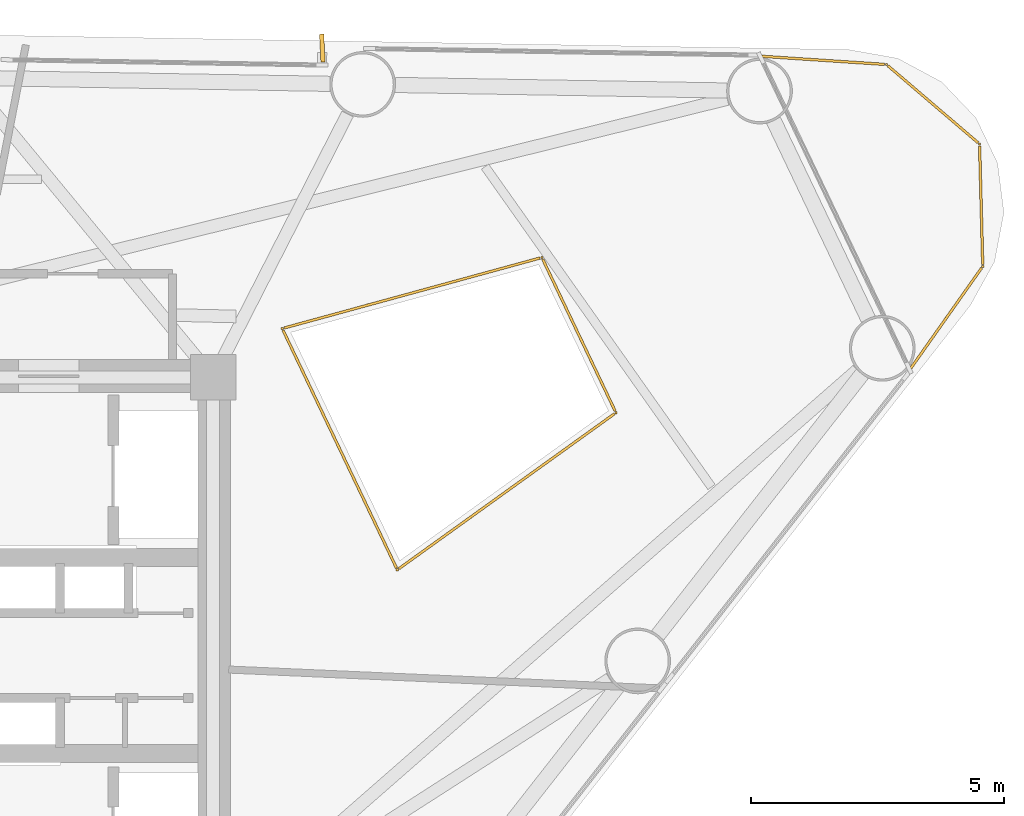
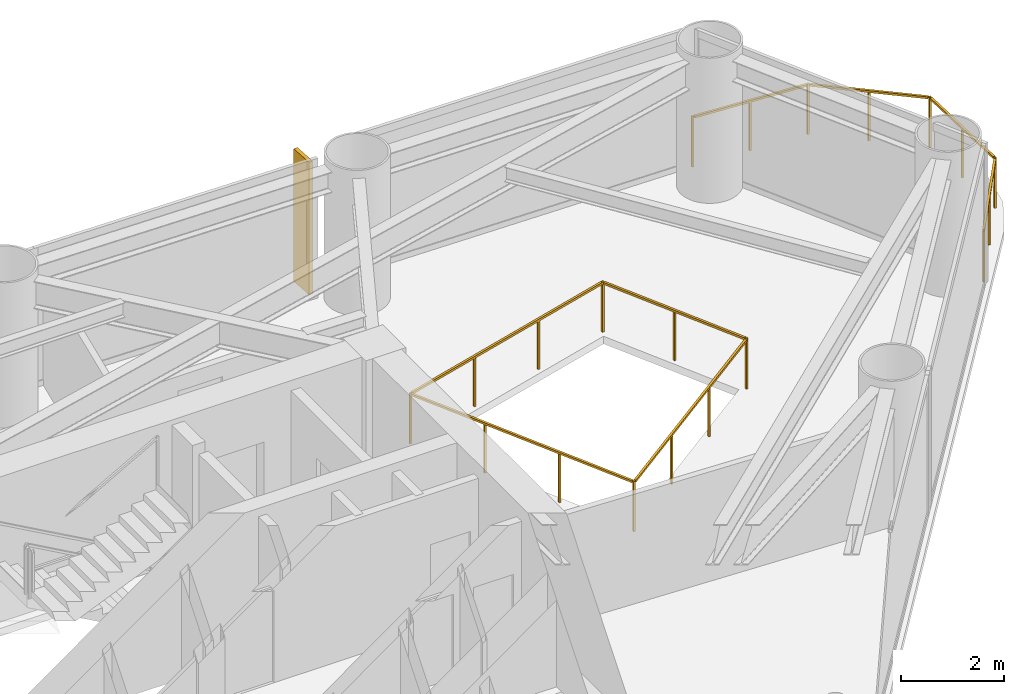
# One storey, part 10 of 10: 2 railings, 1 shading device.
"""IFC4 building model written with IfcOpenShell, lengths in metres."""

from ifc_helpers import new_model, si_unit, direction, frame, origin, origin_2d, place, context, subcontext, project, spatial, rectangle, extrude, source, transform, mapped, material, material_profile, profile_set, type_object, element, save


model = new_model("IFC4")

# Units and contexts
model_context = context("Model", 3, precision=1e-05, world=origin(), true_north=direction((0.0, 1.0)))
body_context = subcontext(model_context, "Body", "Model", "MODEL_VIEW")
ifc_project = project(units=[si_unit("LENGTHUNIT", "METRE"), si_unit("AREAUNIT", "SQUARE_METRE"), si_unit("VOLUMEUNIT", "CUBIC_METRE"), si_unit("PLANEANGLEUNIT", "RADIAN"), si_unit("MASSUNIT", "GRAM", prefix="KILO")], contexts=[model_context])

# Site, building, storey
site_placement = place(None, origin())
site = spatial("IfcSite", under=ifc_project, at=site_placement, CompositionType="ELEMENT")
building_placement = place(site_placement, origin())
building = spatial("IfcBuilding", under=site, at=building_placement, Name="Yunling Apex Tower", CompositionType="ELEMENT")
storey_placement = place(building_placement, frame((0.0, 0.0, 132.949951171875)))
storey = spatial("IfcBuildingStorey", under=building, at=storey_placement, Name="L32", CompositionType="ELEMENT", Elevation=132.949951171875)

# Railings
ifc_material = material(Name="Bronze anodised aluminium", Category="aluminium")
railing_type = type_object("IfcRailingType", Name="RL-BAL-1200", PredefinedType="BALUSTRADE", material=ifc_material)
railing_1_placement = place(storey_placement, frame((16.8701171875, 11.853515625, 0.0)))
element("IfcRailing", 1, at=railing_1_placement, inside=storey, type_object=railing_type, Name="RL-CRNSILL-L32-1", PredefinedType="BALUSTRADE", context=body_context, shape_type="SweptSolid", body=[
    extrude(rectangle(XDim=0.0439453125, YDim=0.0439453125, at=origin_2d()), origin(), (0.0, 0.0, 1.0), 1.199951171875),
    extrude(rectangle(XDim=0.0439453125, YDim=0.0439453125, at=origin_2d()), frame((2.498779296875, -0.164794921875, 0.0)), (0.0, 0.0, 1.0), 1.199951171875),
    extrude(rectangle(XDim=0.050048828125, YDim=0.050048828125, at=origin_2d()), frame((0.038330078125, -0.00244140625, 1.1748046875), z_axis=(0.99783235592, -0.065807214484, 0.0), x_axis=(0.065807214484, 0.99783235592, 0.0)), (0.0, 0.0, 1.0), 2.427490234375),
    extrude(rectangle(XDim=0.0439453125, YDim=0.0439453125, at=origin_2d()), frame((1.24951171875, -0.08251953125, 0.0)), (0.0, 0.0, 1.0), 1.14599609375),
    extrude(rectangle(XDim=0.0439453125, YDim=0.0439453125, at=origin_2d()), frame((4.339599609375, -1.737060546875, 0.0)), (0.0, 0.0, 1.0), 1.199951171875),
    extrude(rectangle(XDim=0.050048828125, YDim=0.050048828125, at=origin_2d()), frame((2.52783203125, -0.189697265625, 1.1748046875), z_axis=(0.760394429478, -0.649461555151, 0.0), x_axis=(0.649461555151, 0.760394429478, 0.0)), (0.0, 0.0, 1.0), 2.34423828125),
    extrude(rectangle(XDim=0.0439453125, YDim=0.0439453125, at=origin_2d()), frame((3.419189453125, -0.950927734375, 0.0)), (0.0, 0.0, 1.0), 1.14599609375),
    extrude(rectangle(XDim=0.0439453125, YDim=0.0439453125, at=origin_2d()), frame((4.403076171875, -4.156982421875, 0.0)), (0.0, 0.0, 1.0), 1.199951171875),
    extrude(rectangle(XDim=0.050048828125, YDim=0.050048828125, at=origin_2d()), frame((4.340576171875, -1.775390625, 1.1748046875), z_axis=(0.026221811823, -0.999656149176, 0.0), x_axis=(0.999656149176, 0.026221811823, 0.0)), (0.0, 0.0, 1.0), 2.343994140625),
    extrude(rectangle(XDim=0.0439453125, YDim=0.0439453125, at=origin_2d()), frame((4.371337890625, -2.947021484375, 0.0)), (0.0, 0.0, 1.0), 1.14599609375),
    extrude(rectangle(XDim=0.0439453125, YDim=0.0439453125, at=origin_2d()), frame((2.95849609375, -6.20263671875, 0.0)), (0.0, 0.0, 1.0), 1.199951171875),
    extrude(rectangle(XDim=0.050048828125, YDim=0.050048828125, at=origin_2d()), frame((4.380859375, -4.188232421875, 1.1748046875), z_axis=(-0.576840114355, -0.816857075914, 0.0), x_axis=(0.816857075914, -0.576840114355, 0.0)), (0.0, 0.0, 1.0), 2.427734375),
    extrude(rectangle(XDim=0.0439453125, YDim=0.0439453125, at=origin_2d()), frame((3.6806640625, -5.1796875, 0.0)), (0.0, 0.0, 1.0), 1.14599609375),
])
railing_2_placement = place(storey_placement, frame((7.41845703125, 6.46728515625, 0.0)))
element("IfcRailing", 2, at=railing_2_placement, inside=storey, type_object=railing_type, Name="RL-TATR-L32", PredefinedType="BALUSTRADE", context=body_context, shape_type="SweptSolid", body=[
    extrude(rectangle(XDim=0.0439453125, YDim=0.0439453125, at=origin_2d()), origin(), (0.0, 0.0, 1.0), 1.199951171875),
    extrude(rectangle(XDim=0.0439453125, YDim=0.0439453125, at=origin_2d()), frame((5.135498046875, 1.404541015625, 0.0)), (0.0, 0.0, 1.0), 1.199951171875),
    extrude(rectangle(XDim=0.050048828125, YDim=0.050048828125, at=origin_2d()), frame((0.036865234375, 0.010009765625, 1.1748046875), z_axis=(0.964575212807, 0.263807996162, 0.0), x_axis=(-0.263807996162, 0.964575212807, 0.0)), (0.0, 0.0, 1.0), 5.24755859375),
    extrude(rectangle(XDim=0.0439453125, YDim=0.0439453125, at=origin_2d()), frame((1.7119140625, 0.46826171875, 0.0)), (0.0, 0.0, 1.0), 1.14599609375),
    extrude(rectangle(XDim=0.0439453125, YDim=0.0439453125, at=origin_2d()), frame((3.423583984375, 0.936279296875, 0.0)), (0.0, 0.0, 1.0), 1.14599609375),
    extrude(rectangle(XDim=0.0439453125, YDim=0.0439453125, at=origin_2d()), frame((6.599609375, -1.664794921875, 0.0)), (0.0, 0.0, 1.0), 1.199951171875),
    extrude(rectangle(XDim=0.050048828125, YDim=0.050048828125, at=origin_2d()), frame((5.152099609375, 1.369873046875, 1.1748046875), z_axis=(0.430538211034, -0.902572351028, 0.0), x_axis=(0.902572351028, 0.430538211034, 0.0)), (0.0, 0.0, 1.0), 3.323974609375),
    extrude(rectangle(XDim=0.0439453125, YDim=0.0439453125, at=origin_2d()), frame((5.86767578125, -0.130126953125, 0.0)), (0.0, 0.0, 1.0), 1.14599609375),
    extrude(rectangle(XDim=0.0439453125, YDim=0.0439453125, at=origin_2d()), frame((2.276123046875, -4.77197265625, 0.0)), (0.0, 0.0, 1.0), 1.199951171875),
    extrude(rectangle(XDim=0.050048828125, YDim=0.050048828125, at=origin_2d()), frame((6.568603515625, -1.687255859375, 1.1748046875), z_axis=(-0.812044572196, -0.583595418733, 0.0), x_axis=(0.583595418733, -0.812044572196, 0.0)), (0.0, 0.0, 1.0), 5.24755859375),
    extrude(rectangle(XDim=0.0439453125, YDim=0.0439453125, at=origin_2d()), frame((5.158447265625, -2.700439453125, 0.0)), (0.0, 0.0, 1.0), 1.14599609375),
    extrude(rectangle(XDim=0.0439453125, YDim=0.0439453125, at=origin_2d()), frame((3.71728515625, -3.736328125, 0.0)), (0.0, 0.0, 1.0), 1.14599609375),
    extrude(rectangle(XDim=0.050048828125, YDim=0.050048828125, at=origin_2d()), frame((2.259521484375, -4.7373046875, 1.1748046875), z_axis=(-0.430512460038, 0.902584634121, 0.0), x_axis=(-0.902584634121, -0.430512460038, 0.0)), (0.0, 0.0, 1.0), 5.21044921875),
    extrude(rectangle(XDim=0.0439453125, YDim=0.0439453125, at=origin_2d()), frame((1.517333984375, -3.181396484375, 0.0)), (0.0, 0.0, 1.0), 1.14599609375),
    extrude(rectangle(XDim=0.0439453125, YDim=0.0439453125, at=origin_2d()), frame((0.7587890625, -1.590576171875, 0.0)), (0.0, 0.0, 1.0), 1.14599609375),
])

# Shading device
ifc_material_profile = material_profile(ifc_material, rectangle(XDim=0.0849609375, YDim=0.550048828125, at=origin_2d()))
ifc_profile_set = profile_set([ifc_material_profile], Name="Bronze anodised aluminium")
shading_device_type = type_object("IfcShadingDeviceType", Name="FN-BRZ-3", PredefinedType="USERDEFINED", material=ifc_profile_set)
shared_shape = source(origin(), body_context, "Body", "SweptSolid", [
    extrude(rectangle(XDim=0.0849609375, YDim=0.550048828125, at=origin_2d()), origin(), (0.0, 0.0, 1.0), 3.14990234375),
])
shading_device_placement = place(storey_placement, frame((8.21142578125, 12.013671875, 0.06005859375), z_axis=(0.0, 0.0, 1.0), x_axis=(-0.998814648022, -0.048675444496, 0.0)))
element("IfcShadingDevice", 3, at=shading_device_placement, inside=storey, type_object=shading_device_type, Name="CW-L32-F2-B2-FIN-01", ObjectType="FIN", PredefinedType="USERDEFINED", context=body_context, shape_type="MappedRepresentation", body=[
    mapped(shared_shape, transform((0.0, 0.0, 0.0), scale=1.0)),
])

save(model, "model.ifc")
